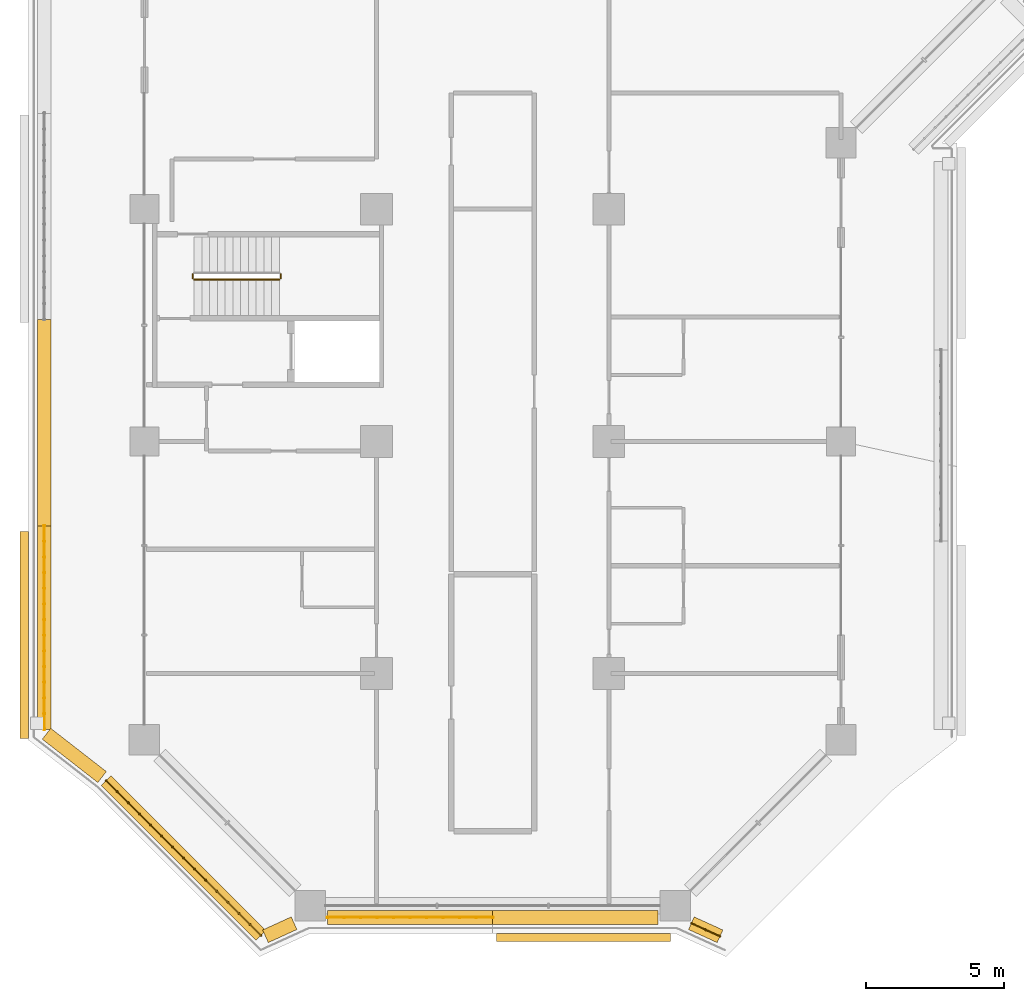
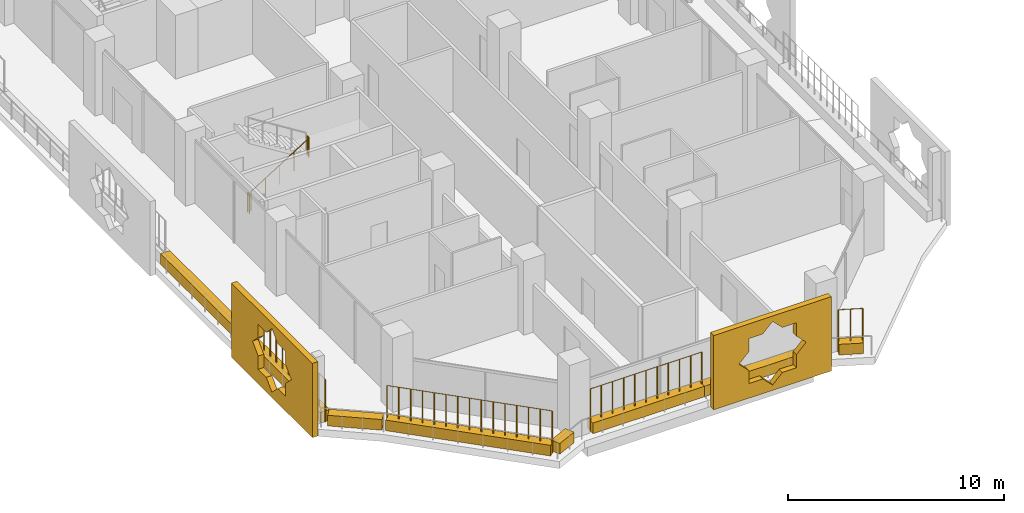
# One storey, part 19 of 25: 10 coverings, 7 railings.
"""IFC4 building model written with IfcOpenShell, lengths in metres."""

from ifc_helpers import new_model, si_unit, direction, frame, origin, origin_2d, place, context, subcontext, project, spatial, polyline, rectangle, circle, outline, extrude, material, material_profile, profile_set, type_object, element, save


model = new_model("IFC4")

# Units and contexts
model_context = context("Model", 3, precision=1e-05, world=origin(), true_north=direction((0.0, 1.0)))
body_context = subcontext(model_context, "Body", "Model", "MODEL_VIEW")
ifc_project = project(units=[si_unit("LENGTHUNIT", "METRE"), si_unit("AREAUNIT", "SQUARE_METRE"), si_unit("VOLUMEUNIT", "CUBIC_METRE"), si_unit("PLANEANGLEUNIT", "RADIAN"), si_unit("MASSUNIT", "GRAM", prefix="KILO")], contexts=[model_context])

# Site, building, storey
site_placement = place(None, origin())
site = spatial("IfcSite", under=ifc_project, at=site_placement, CompositionType="ELEMENT")
building_placement = place(site_placement, origin())
building = spatial("IfcBuilding", under=site, at=building_placement, Name="Kawkab Arch Medical Tower", CompositionType="ELEMENT")
storey_placement = place(building_placement, frame((0.0, 0.0, 128.199951171875)))
storey = spatial("IfcBuildingStorey", under=building, at=storey_placement, Name="L29", CompositionType="ELEMENT", Elevation=128.199951171875)

# Coverings
ifc_material_1 = material(Name="Bronze anodised aluminium mashrabiya panel, eight-point star pattern", Category="aluminium")
ifc_material_profile_1 = material_profile(ifc_material_1, outline(polyline([(-3.14990234375, -2.10009765625), (3.14990234375, -2.10009765625), (3.14990234375, 2.10009765625), (-3.14990234375, 2.10009765625), (-3.14990234375, -2.10009765625)]), holes=[polyline([(1.800048828125, 0.0), (1.272705078125, 0.527099609375), (1.272705078125, 1.272705078125), (0.527099609375, 1.272705078125), (0.0, 1.800048828125), (-0.527099609375, 1.272705078125), (-1.272705078125, 1.272705078125), (-1.272705078125, 0.527099609375), (-1.800048828125, 0.0), (-1.272705078125, -0.527099609375), (-1.272705078125, -1.272705078125), (-0.527099609375, -1.272705078125), (0.0, -1.800048828125), (0.527099609375, -1.272705078125), (1.272705078125, -1.272705078125), (1.272705078125, -0.527099609375), (1.800048828125, 0.0)])]), Name="Mashrabiya panel 6300x4200")
ifc_profile_set_1 = profile_set([ifc_material_profile_1], Name="Bronze anodised aluminium mashrabiya panel, eight-point star pattern")
covering_type_1 = type_object("IfcCoveringType", Name="Mashrabiya panel 6300 x 4200", PredefinedType="USERDEFINED", material=ifc_profile_set_1)
covering_1_placement = place(storey_placement, frame((15.881103515625, -59.800048828125, 1.699951171875), z_axis=(0.0, -1.0, 0.0), x_axis=(1.0, 0.0, 0.0)))
element("IfcCovering", 1, at=covering_1_placement, inside=storey, type_object=covering_type_1, Name="Mashrabiya panel L29.LOG-01-01.1", ObjectType="SCREEN", PredefinedType="USERDEFINED", context=body_context, shape_type="SweptSolid", body=[
    extrude(outline(polyline([(-3.14990234375, -2.10009765625), (3.14990234375, -2.10009765625), (3.14990234375, 2.10009765625), (-3.14990234375, 2.10009765625), (-3.14990234375, -2.10009765625)]), holes=[polyline([(1.800048828125, 0.0), (1.272705078125, 0.527099609375), (1.272705078125, 1.272705078125), (0.527099609375, 1.272705078125), (0.0, 1.800048828125), (-0.527099609375, 1.272705078125), (-1.272705078125, 1.272705078125), (-1.272705078125, 0.527099609375), (-1.800048828125, 0.0), (-1.272705078125, -0.527099609375), (-1.272705078125, -1.272705078125), (-0.527099609375, -1.272705078125), (0.0, -1.800048828125), (0.527099609375, -1.272705078125), (1.272705078125, -1.272705078125), (1.272705078125, -0.527099609375), (1.800048828125, 0.0)])]), origin(), (0.0, 0.0, 1.0), 0.300048828125),
])
ifc_material_2 = material(Name="Bronze anodised aluminium mashrabiya panel, eight-point star pattern", Category="aluminium")
ifc_material_profile_2 = material_profile(ifc_material_2, outline(polyline([(-3.75, -2.10009765625), (3.75, -2.10009765625), (3.75, 2.10009765625), (-3.75, 2.10009765625), (-3.75, -2.10009765625)]), holes=[polyline([(1.800048828125, 0.0), (1.272705078125, 0.527099609375), (1.272705078125, 1.272705078125), (0.527099609375, 1.272705078125), (0.0, 1.800048828125), (-0.527099609375, 1.272705078125), (-1.272705078125, 1.272705078125), (-1.272705078125, 0.527099609375), (-1.800048828125, 0.0), (-1.272705078125, -0.527099609375), (-1.272705078125, -1.272705078125), (-0.527099609375, -1.272705078125), (0.0, -1.800048828125), (0.527099609375, -1.272705078125), (1.272705078125, -1.272705078125), (1.272705078125, -0.527099609375), (1.800048828125, 0.0)])]), Name="Mashrabiya panel 7500x4200")
ifc_profile_set_2 = profile_set([ifc_material_profile_2], Name="Bronze anodised aluminium mashrabiya panel, eight-point star pattern")
covering_type_2 = type_object("IfcCoveringType", Name="Mashrabiya panel 7500 x 4200", PredefinedType="USERDEFINED", material=ifc_profile_set_2)
covering_2_placement = place(storey_placement, frame((-4.199951171875, -49.00439453125, 1.699951171875), z_axis=(-1.0, 0.0, 0.0), x_axis=(0.0, -1.0, 0.0)))
element("IfcCovering", 2, at=covering_2_placement, inside=storey, type_object=covering_type_2, Name="Mashrabiya panel L29.LOG-01-01.2", ObjectType="SCREEN", PredefinedType="USERDEFINED", context=body_context, shape_type="SweptSolid", body=[
    extrude(outline(polyline([(-3.75, -2.10009765625), (3.75, -2.10009765625), (3.75, 2.10009765625), (-3.75, 2.10009765625), (-3.75, -2.10009765625)]), holes=[polyline([(1.800048828125, 0.0), (1.272705078125, 0.527099609375), (1.272705078125, 1.272705078125), (0.527099609375, 1.272705078125), (0.0, 1.800048828125), (-0.527099609375, 1.272705078125), (-1.272705078125, 1.272705078125), (-1.272705078125, 0.527099609375), (-1.800048828125, 0.0), (-1.272705078125, -0.527099609375), (-1.272705078125, -1.272705078125), (-0.527099609375, -1.272705078125), (0.0, -1.800048828125), (0.527099609375, -1.272705078125), (1.272705078125, -1.272705078125), (1.272705078125, -0.527099609375), (1.800048828125, 0.0)])]), origin(), (0.0, 0.0, 1.0), 0.300048828125),
])
ifc_material_3 = material(Name="Planting soil in a precast trough", Category="concrete")
ifc_material_profile_3 = material_profile(ifc_material_3, rectangle(XDim=0.5, YDim=0.60009765625, at=origin_2d()), Name="Trough 500x600")
ifc_profile_set_3 = profile_set([ifc_material_profile_3], Name="Planting soil in a precast trough")
covering_type_3 = type_object("IfcCoveringType", Name="Planter trough 500 x 600", PredefinedType="USERDEFINED", material=ifc_profile_set_3)
covering_3_placement = place(storey_placement, frame((20.821044921875, -59.902099609375, 0.300048828125), z_axis=(-0.909821891123, 0.414998947508, 0.0), x_axis=(-0.414998947508, -0.909821891123, 0.0)))
element("IfcCovering", 3, at=covering_3_placement, inside=storey, type_object=covering_type_3, Name="Planter L29.LOG-01-01.1", ObjectType="PLANTER", PredefinedType="USERDEFINED", context=body_context, shape_type="SweptSolid", body=[
    extrude(rectangle(XDim=0.5, YDim=0.60009765625, at=origin_2d()), origin(), (0.0, 0.0, 1.0), 1.1376953125),
])
covering_4_placement = place(storey_placement, frame((18.570068359375, -59.219970703125, 0.300048828125), z_axis=(-1.0, 0.0, 0.0), x_axis=(0.0, -1.0, 0.0)))
element("IfcCovering", 4, at=covering_4_placement, inside=storey, type_object=covering_type_3, Name="Planter L29.LOG-01-01.2", ObjectType="PLANTER", PredefinedType="USERDEFINED", context=body_context, shape_type="SweptSolid", body=[
    extrude(rectangle(XDim=0.5, YDim=0.60009765625, at=origin_2d()), origin(), (0.0, 0.0, 1.0), 5.969970703125),
])
covering_5_placement = place(storey_placement, frame((12.60009765625, -59.219970703125, 0.300048828125), z_axis=(-1.0, 0.0, 0.0), x_axis=(0.0, -1.0, 0.0)))
element("IfcCovering", 5, at=covering_5_placement, inside=storey, type_object=covering_type_3, Name="Planter L29.LOG-01-01.3", ObjectType="PLANTER", PredefinedType="USERDEFINED", context=body_context, shape_type="SweptSolid", body=[
    extrude(rectangle(XDim=0.5, YDim=0.60009765625, at=origin_2d()), origin(), (0.0, 0.0, 1.0), 5.97021484375),
])
covering_6_placement = place(storey_placement, frame((5.4140625, -59.429931640625, 0.300048828125), z_axis=(-0.909821891123, -0.414998947508, 0.0), x_axis=(0.414998947508, -0.909821891123, 0.0)))
element("IfcCovering", 6, at=covering_6_placement, inside=storey, type_object=covering_type_3, Name="Planter L29.LOG-01-01.4", ObjectType="PLANTER", PredefinedType="USERDEFINED", context=body_context, shape_type="SweptSolid", body=[
    extrude(rectangle(XDim=0.5, YDim=0.60009765625, at=origin_2d()), origin(), (0.0, 0.0, 1.0), 1.1376953125),
])
covering_7_placement = place(storey_placement, frame((4.217041015625, -59.873046875, 0.300048828125), z_axis=(-0.707106781187, 0.707106781187, 0.0), x_axis=(-0.707106781187, -0.707106781187, 0.0)))
element("IfcCovering", 7, at=covering_7_placement, inside=storey, type_object=covering_type_3, Name="Planter L29.LOG-01-01.5", ObjectType="PLANTER", PredefinedType="USERDEFINED", context=body_context, shape_type="SweptSolid", body=[
    extrude(rectangle(XDim=0.5, YDim=0.60009765625, at=origin_2d()), origin(), (0.0, 0.0, 1.0), 7.919677734375),
])
covering_8_placement = place(storey_placement, frame((-1.531982421875, -54.14111328125, 0.300048828125), z_axis=(-0.789228258436, 0.614099956103, 0.0), x_axis=(-0.614099956103, -0.789228258436, 0.0)))
element("IfcCovering", 8, at=covering_8_placement, inside=storey, type_object=covering_type_3, Name="Planter L29.LOG-01-01.6", ObjectType="PLANTER", PredefinedType="USERDEFINED", context=body_context, shape_type="SweptSolid", body=[
    extrude(rectangle(XDim=0.5, YDim=0.60009765625, at=origin_2d()), origin(), (0.0, 0.0, 1.0), 2.545654296875),
])
covering_9_placement = place(storey_placement, frame((-3.6201171875, -52.416015625, 0.300048828125), z_axis=(0.0, 1.0, 0.0), x_axis=(-1.0, 0.0, 0.0)))
element("IfcCovering", 9, at=covering_9_placement, inside=storey, type_object=covering_type_3, Name="Planter L29.LOG-01-01.7", ObjectType="PLANTER", PredefinedType="USERDEFINED", context=body_context, shape_type="SweptSolid", body=[
    extrude(rectangle(XDim=0.5, YDim=0.60009765625, at=origin_2d()), origin(), (0.0, 0.0, 1.0), 7.361083984375),
])
covering_10_placement = place(storey_placement, frame((-3.6201171875, -45.054931640625, 0.300048828125), z_axis=(0.0, 1.0, 0.0), x_axis=(-1.0, 0.0, 0.0)))
element("IfcCovering", 10, at=covering_10_placement, inside=storey, type_object=covering_type_3, Name="Planter L29.LOG-01-01.8", ObjectType="PLANTER", PredefinedType="USERDEFINED", context=body_context, shape_type="SweptSolid", body=[
    extrude(rectangle(XDim=0.5, YDim=0.60009765625, at=origin_2d()), origin(), (0.0, 0.0, 1.0), 7.4619140625),
])

# Railings
ifc_material_4 = material(Name="Bronze anodised aluminium trellis for climbing plants", Category="aluminium")
railing_type_1 = type_object("IfcRailingType", Name="Planting trellis 2400", PredefinedType="USERDEFINED", material=ifc_material_4)
railing_1_placement = place(storey_placement, frame((20.821044921875, -59.902099609375, 0.0)))
element("IfcRailing", 11, at=railing_1_placement, inside=storey, type_object=railing_type_1, Name="Planting trellis L29.LOG-01-01.1", ObjectType="TRELLIS", PredefinedType="USERDEFINED", context=body_context, shape_type="SweptSolid", body=[
    extrude(circle(Radius=0.01513671875, at=origin_2d()), frame((0.0, 0.0, 2.384765625), z_axis=(-0.909821891123, 0.414998947508, 0.0), x_axis=(-0.414998947508, -0.909821891123, 0.0)), (0.0, 0.0, 1.0), 1.1376953125),
    extrude(circle(Radius=0.030029296875, at=origin_2d()), origin(), (0.0, 0.0, 1.0), 2.369873046875),
    extrude(circle(Radius=0.030029296875, at=origin_2d()), frame((-0.517578125, 0.236083984375, 0.0)), (0.0, 0.0, 1.0), 2.369873046875),
    extrude(circle(Radius=0.030029296875, at=origin_2d()), frame((-1.03515625, 0.47216796875, 0.0)), (0.0, 0.0, 1.0), 2.369873046875),
])
railing_2_placement = place(storey_placement, frame((12.60009765625, -59.219970703125, 0.0)))
element("IfcRailing", 12, at=railing_2_placement, inside=storey, type_object=railing_type_1, Name="Planting trellis L29.LOG-01-01.3", ObjectType="TRELLIS", PredefinedType="USERDEFINED", context=body_context, shape_type="SweptSolid", body=[
    extrude(circle(Radius=0.01513671875, at=origin_2d()), frame((0.0, 0.0, 2.384765625), z_axis=(-1.0, 0.0, 0.0), x_axis=(0.0, -1.0, 0.0)), (0.0, 0.0, 1.0), 5.97021484375),
    extrude(circle(Radius=0.030029296875, at=origin_2d()), origin(), (0.0, 0.0, 1.0), 2.369873046875),
    extrude(circle(Radius=0.030029296875, at=origin_2d()), frame((-0.596923828125, 0.0, 0.0)), (0.0, 0.0, 1.0), 2.369873046875),
    extrude(circle(Radius=0.030029296875, at=origin_2d()), frame((-1.194091796875, 0.0, 0.0)), (0.0, 0.0, 1.0), 2.369873046875),
    extrude(circle(Radius=0.030029296875, at=origin_2d()), frame((-1.791015625, 0.0, 0.0)), (0.0, 0.0, 1.0), 2.369873046875),
    extrude(circle(Radius=0.030029296875, at=origin_2d()), frame((-2.38818359375, 0.0, 0.0)), (0.0, 0.0, 1.0), 2.369873046875),
    extrude(circle(Radius=0.030029296875, at=origin_2d()), frame((-2.985107421875, 0.0, 0.0)), (0.0, 0.0, 1.0), 2.369873046875),
    extrude(circle(Radius=0.030029296875, at=origin_2d()), frame((-3.58203125, 0.0, 0.0)), (0.0, 0.0, 1.0), 2.369873046875),
    extrude(circle(Radius=0.030029296875, at=origin_2d()), frame((-4.17919921875, 0.0, 0.0)), (0.0, 0.0, 1.0), 2.369873046875),
    extrude(circle(Radius=0.030029296875, at=origin_2d()), frame((-4.776123046875, 0.0, 0.0)), (0.0, 0.0, 1.0), 2.369873046875),
    extrude(circle(Radius=0.030029296875, at=origin_2d()), frame((-5.373291015625, 0.0, 0.0)), (0.0, 0.0, 1.0), 2.369873046875),
    extrude(circle(Radius=0.030029296875, at=origin_2d()), frame((-5.97021484375, 0.0, 0.0)), (0.0, 0.0, 1.0), 2.369873046875),
])
railing_3_placement = place(storey_placement, frame((4.217041015625, -59.873046875, 0.0)))
element("IfcRailing", 13, at=railing_3_placement, inside=storey, type_object=railing_type_1, Name="Planting trellis L29.LOG-01-01.5", ObjectType="TRELLIS", PredefinedType="USERDEFINED", context=body_context, shape_type="SweptSolid", body=[
    extrude(circle(Radius=0.01513671875, at=origin_2d()), frame((0.0, 0.0, 2.384765625), z_axis=(-0.707106781187, 0.707106781187, 0.0), x_axis=(-0.707106781187, -0.707106781187, 0.0)), (0.0, 0.0, 1.0), 7.919677734375),
    extrude(circle(Radius=0.030029296875, at=origin_2d()), origin(), (0.0, 0.0, 1.0), 2.369873046875),
    extrude(circle(Radius=0.030029296875, at=origin_2d()), frame((-0.39990234375, 0.39990234375, 0.0)), (0.0, 0.0, 1.0), 2.369873046875),
    extrude(circle(Radius=0.030029296875, at=origin_2d()), frame((-0.800048828125, 0.800048828125, 0.0)), (0.0, 0.0, 1.0), 2.369873046875),
    extrude(circle(Radius=0.030029296875, at=origin_2d()), frame((-1.199951171875, 1.199951171875, 0.0)), (0.0, 0.0, 1.0), 2.369873046875),
    extrude(circle(Radius=0.030029296875, at=origin_2d()), frame((-1.60009765625, 1.60009765625, 0.0)), (0.0, 0.0, 1.0), 2.369873046875),
    extrude(circle(Radius=0.030029296875, at=origin_2d()), frame((-2.0, 2.0, 0.0)), (0.0, 0.0, 1.0), 2.369873046875),
    extrude(circle(Radius=0.030029296875, at=origin_2d()), frame((-2.400146484375, 2.400146484375, 0.0)), (0.0, 0.0, 1.0), 2.369873046875),
    extrude(circle(Radius=0.030029296875, at=origin_2d()), frame((-2.800048828125, 2.800048828125, 0.0)), (0.0, 0.0, 1.0), 2.369873046875),
    extrude(circle(Radius=0.030029296875, at=origin_2d()), frame((-3.199951171875, 3.199951171875, 0.0)), (0.0, 0.0, 1.0), 2.369873046875),
    extrude(circle(Radius=0.030029296875, at=origin_2d()), frame((-3.60009765625, 3.60009765625, 0.0)), (0.0, 0.0, 1.0), 2.369873046875),
    extrude(circle(Radius=0.030029296875, at=origin_2d()), frame((-4.0, 4.0, 0.0)), (0.0, 0.0, 1.0), 2.369873046875),
    extrude(circle(Radius=0.030029296875, at=origin_2d()), frame((-4.400146484375, 4.400146484375, 0.0)), (0.0, 0.0, 1.0), 2.369873046875),
    extrude(circle(Radius=0.030029296875, at=origin_2d()), frame((-4.800048828125, 4.800048828125, 0.0)), (0.0, 0.0, 1.0), 2.369873046875),
    extrude(circle(Radius=0.030029296875, at=origin_2d()), frame((-5.2001953125, 5.2001953125, 0.0)), (0.0, 0.0, 1.0), 2.369873046875),
    extrude(circle(Radius=0.030029296875, at=origin_2d()), frame((-5.60009765625, 5.60009765625, 0.0)), (0.0, 0.0, 1.0), 2.369873046875),
])
railing_4_placement = place(storey_placement, frame((-3.6201171875, -52.416015625, 0.0)))
element("IfcRailing", 14, at=railing_4_placement, inside=storey, type_object=railing_type_1, Name="Planting trellis L29.LOG-01-01.7", ObjectType="TRELLIS", PredefinedType="USERDEFINED", context=body_context, shape_type="SweptSolid", body=[
    extrude(circle(Radius=0.01513671875, at=origin_2d()), frame((0.0, 0.0, 2.384765625), z_axis=(0.0, 1.0, 0.0), x_axis=(-1.0, 0.0, 0.0)), (0.0, 0.0, 1.0), 7.361083984375),
    extrude(circle(Radius=0.030029296875, at=origin_2d()), origin(), (0.0, 0.0, 1.0), 2.369873046875),
    extrude(circle(Radius=0.030029296875, at=origin_2d()), frame((0.0, 0.566162109375, 0.0)), (0.0, 0.0, 1.0), 2.369873046875),
    extrude(circle(Radius=0.030029296875, at=origin_2d()), frame((0.0, 1.132568359375, 0.0)), (0.0, 0.0, 1.0), 2.369873046875),
    extrude(circle(Radius=0.030029296875, at=origin_2d()), frame((0.0, 1.69873046875, 0.0)), (0.0, 0.0, 1.0), 2.369873046875),
    extrude(circle(Radius=0.030029296875, at=origin_2d()), frame((0.0, 2.264892578125, 0.0)), (0.0, 0.0, 1.0), 2.369873046875),
    extrude(circle(Radius=0.030029296875, at=origin_2d()), frame((0.0, 2.831298828125, 0.0)), (0.0, 0.0, 1.0), 2.369873046875),
    extrude(circle(Radius=0.030029296875, at=origin_2d()), frame((0.0, 3.3974609375, 0.0)), (0.0, 0.0, 1.0), 2.369873046875),
    extrude(circle(Radius=0.030029296875, at=origin_2d()), frame((0.0, 3.963623046875, 0.0)), (0.0, 0.0, 1.0), 2.369873046875),
    extrude(circle(Radius=0.030029296875, at=origin_2d()), frame((0.0, 4.52978515625, 0.0)), (0.0, 0.0, 1.0), 2.369873046875),
    extrude(circle(Radius=0.030029296875, at=origin_2d()), frame((0.0, 5.09619140625, 0.0)), (0.0, 0.0, 1.0), 2.369873046875),
    extrude(circle(Radius=0.030029296875, at=origin_2d()), frame((0.0, 5.662353515625, 0.0)), (0.0, 0.0, 1.0), 2.369873046875),
    extrude(circle(Radius=0.030029296875, at=origin_2d()), frame((0.0, 6.228515625, 0.0)), (0.0, 0.0, 1.0), 2.369873046875),
    extrude(circle(Radius=0.030029296875, at=origin_2d()), frame((0.0, 6.794921875, 0.0)), (0.0, 0.0, 1.0), 2.369873046875),
    extrude(circle(Radius=0.030029296875, at=origin_2d()), frame((0.0, 7.361083984375, 0.0)), (0.0, 0.0, 1.0), 2.369873046875),
])
ifc_material_5 = material(Name="Stainless steel", Category="steel")
railing_type_2 = type_object("IfcRailingType", Name="Stair guard 1100", PredefinedType="GUARDRAIL", material=ifc_material_5)
railing_5_placement = place(storey_placement, frame((1.800048828125, -36.14990234375, 0.175048828125)))
element("IfcRailing", 15, at=railing_5_placement, inside=storey, type_object=railing_type_2, Name="L29 ST6 stair guard 1", PredefinedType="GUARDRAIL", context=body_context, shape_type="SweptSolid", body=[
    extrude(circle(Radius=0.02392578125, at=origin_2d()), frame((0.0, 0.0, 1.076171875), z_axis=(0.847979421464, 0.0, 0.530029150871), x_axis=(0.0, 1.0, 0.0)), (0.0, 0.0, 1.0), 3.632080078125),
    extrude(circle(Radius=0.02099609375, at=origin_2d()), origin(), (0.0, 0.0, 1.0), 1.052001953125),
    extrude(circle(Radius=0.02099609375, at=origin_2d()), frame((0.77001953125, 0.0, 0.481201171875)), (0.0, 0.0, 1.0), 1.052001953125),
    extrude(circle(Radius=0.02099609375, at=origin_2d()), frame((1.5400390625, 0.0, 0.96240234375)), (0.0, 0.0, 1.0), 1.052001953125),
    extrude(circle(Radius=0.02099609375, at=origin_2d()), frame((2.309814453125, 0.0, 1.44384765625)), (0.0, 0.0, 1.0), 1.052001953125),
    extrude(circle(Radius=0.02099609375, at=origin_2d()), frame((3.079833984375, 0.0, 1.925048828125)), (0.0, 0.0, 1.0), 1.052001953125),
])
for number, where, name in (
    (16, (4.929931640625, -36.10009765625, 2.10009765625), "L29 ST6 stair guard 2"),
    (17, (1.75, -36.10009765625, 0.0), "L29 ST6 stair guard 4"),
):
    element("IfcRailing", number, at=place(storey_placement, frame(where)), inside=storey, type_object=railing_type_2, Name=name, PredefinedType="GUARDRAIL", context=body_context, shape_type="SweptSolid", body=[
        extrude(circle(Radius=0.02392578125, at=origin_2d()), frame((0.0, 0.0, 1.076171875), z_axis=(0.0, 1.0, 0.0), x_axis=(-1.0, 0.0, 0.0)), (0.0, 0.0, 1.0), 0.150146484375),
        extrude(circle(Radius=0.02099609375, at=origin_2d()), origin(), (0.0, 0.0, 1.0), 1.052001953125),
        extrude(circle(Radius=0.02099609375, at=origin_2d()), frame((0.0, 0.150146484375, 0.0)), (0.0, 0.0, 1.0), 1.052001953125),
    ])

save(model, "model.ifc")
